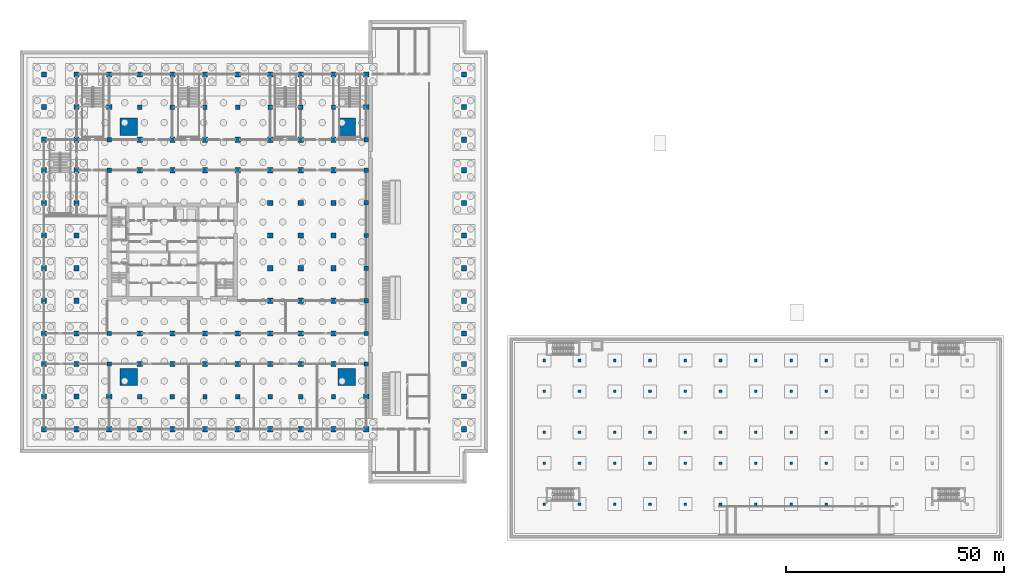
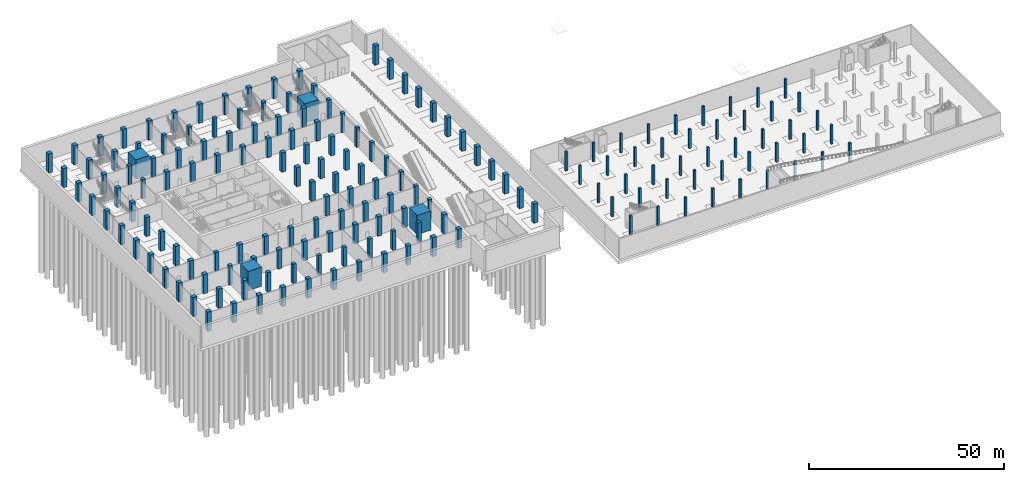
# One storey, part 3 of 39: 173 columns.
"""IFC4 building model written with IfcOpenShell, lengths in metres."""

from ifc_helpers import new_model, si_unit, direction, frame, origin, origin_2d, place, context, subcontext, project, spatial, rectangle, extrude, material, material_profile, profile_set, type_object, element, save


model = new_model("IFC4")

# Units and contexts
model_context = context("Model", 3, precision=1e-05, world=origin(), true_north=direction((0.0, 1.0)))
body_context = subcontext(model_context, "Body", "Model", "MODEL_VIEW")
ifc_project = project(units=[si_unit("LENGTHUNIT", "METRE"), si_unit("AREAUNIT", "SQUARE_METRE"), si_unit("VOLUMEUNIT", "CUBIC_METRE"), si_unit("PLANEANGLEUNIT", "RADIAN"), si_unit("MASSUNIT", "GRAM", prefix="KILO")], contexts=[model_context])

# Site, building, storey
site_placement = place(None, origin())
site = spatial("IfcSite", under=ifc_project, at=site_placement, CompositionType="ELEMENT")
building_placement = place(site_placement, origin())
building = spatial("IfcBuilding", under=site, at=building_placement, Name="Tamorin Gate", CompositionType="ELEMENT")
storey_placement = place(building_placement, frame((0.0, 0.0, -12.0)))
storey = spatial("IfcBuildingStorey", under=building, at=storey_placement, Name="B2", CompositionType="ELEMENT", Elevation=-12.0)

# Columns
ifc_material_1 = material(Name="Concrete C80/95", Category="concrete")
ifc_material_profile_1 = material_profile(ifc_material_1, rectangle(XDim=1.0, YDim=1.0, at=origin_2d()), Name="RC 1000x1000")
ifc_profile_set_1 = profile_set([ifc_material_profile_1], Name="Concrete C80/95")
column_type_1 = type_object("IfcColumnType", Name="RC column 1000x1000 C80/95", PredefinedType="COLUMN", material=ifc_profile_set_1)
for number, where, z_axis, x_axis, name in (
    (1, (30.5, 45.5, 0.0), (0.0, 0.0, 1.0), (1.0, 0.0, 0.0), "Ring column B2"),
    (2, (30.5, 52.5, 0.0), (0.0, 0.0, 1.0), (1.0, 0.0, 0.0), "Ring column B2"),
    (3, (30.5, 90.0, 0.0), (0.0, 0.0, 1.0), (1.0, 0.0, 0.0), "Ring column B2"),
    (4, (30.5, 97.0, 0.0), (0.0, 0.0, 1.0), (1.0, 0.0, 0.0), "Ring column B2"),
    (5, (37.5, 38.0, 0.0), (0.0, 0.0, 1.0), (1.0, 0.0, 0.0), "Ring column B2"),
    (6, (37.5, 104.5, 0.0), (0.0, 0.0, 1.0), (1.0, 0.0, 0.0), "Ring column B2"),
    (7, (45.0, 38.0, 0.0), (0.0, 0.0, 1.0), (1.0, 0.0, 0.0), "Ring column B2"),
    (8, (45.0, 104.5, 0.0), (0.0, 0.0, 1.0), (1.0, 0.0, 0.0), "Ring column B2"),
    (9, (52.5, 38.0, 0.0), (0.0, 0.0, 1.0), (1.0, 0.0, 0.0), "Ring column B2"),
    (10, (52.5, 104.5, 0.0), (0.0, 0.0, 1.0), (1.0, 0.0, 0.0), "Ring column B2"),
    (11, (60.0, 38.0, 0.0), (0.0, 0.0, 1.0), (1.0, 0.0, 0.0), "Ring column B2"),
    (12, (60.0, 104.5, 0.0), (0.0, 0.0, 1.0), (1.0, 0.0, 0.0), "Ring column B2"),
    (13, (67.5, 38.0, 0.0), (0.0, 0.0, 1.0), (1.0, 0.0, 0.0), "Ring column B2"),
    (14, (67.5, 104.5, 0.0), (0.0, 0.0, 1.0), (1.0, 0.0, 0.0), "Ring column B2"),
    (15, (74.5, 38.0, 0.0), (0.0, 0.0, 1.0), (1.0, 0.0, 0.0), "Ring column B2"),
    (16, (74.5, 104.5, 0.0), (0.0, 0.0, 1.0), (1.0, 0.0, 0.0), "Ring column B2"),
    (17, (82.0, 38.0, 0.0), (0.0, 0.0, 1.0), (1.0, 0.0, 0.0), "Ring column B2"),
    (18, (82.0, 104.5, 0.0), (0.0, 0.0, 1.0), (1.0, 0.0, 0.0), "Ring column B2"),
    (19, (89.5, 45.5, 0.0), (0.0, 0.0, 1.0), (1.0, 0.0, 0.0), "Ring column B2"),
    (20, (89.5, 52.5, 0.0), (0.0, 0.0, 1.0), (1.0, 0.0, 0.0), "Ring column B2"),
    (21, (89.5, 60.0, 0.0), (0.0, 0.0, 1.0), (1.0, 0.0, 0.0), "Ring column B2"),
    (22, (89.5, 67.5, 0.0), (0.0, 0.0, 1.0), (1.0, 0.0, 0.0), "Ring column B2"),
    (23, (89.5, 75.0, 0.0), (0.0, 0.0, 1.0), (1.0, 0.0, 0.0), "Ring column B2"),
    (24, (89.5, 82.5, 0.0), (0.0, 0.0, 1.0), (1.0, 0.0, 0.0), "Ring column B2"),
    (25, (89.5, 90.0, 0.0), (0.0, 0.0, 1.0), (1.0, 0.0, 0.0), "Ring column B2"),
    (26, (89.5, 97.0, 0.0), (0.0, 0.0, 1.0), (1.0, 0.0, 0.0), "Ring column B2"),
):
    element("IfcColumn", number, at=place(storey_placement, frame(where, z_axis=z_axis, x_axis=x_axis)), inside=storey, type_object=column_type_1, Name=name, PredefinedType="COLUMN", context=body_context, shape_type="SweptSolid", body=[
        extrude(rectangle(XDim=1.0, YDim=1.0, at=origin_2d()), origin(), (0.0, 0.0, 1.0), 6.0),
    ])
ifc_material_profile_2 = material_profile(ifc_material_1, rectangle(XDim=1.199951171875, YDim=1.199951171875, at=origin_2d()), Name="RC 1200x1200")
ifc_profile_set_2 = profile_set([ifc_material_profile_2], Name="Concrete C80/95")
column_type_2 = type_object("IfcColumnType", Name="RC column 1200x1200 C80/95", PredefinedType="COLUMN", material=ifc_profile_set_2)
for number, where, z_axis, x_axis, name in (
    (27, (37.5, 45.5, 0.0), (0.0, 0.0, 1.0), (1.0, 0.0, 0.0), "Interior column B2"),
    (28, (37.5, 52.5, 0.0), (0.0, 0.0, 1.0), (1.0, 0.0, 0.0), "Interior column B2"),
    (29, (37.5, 90.0, 0.0), (0.0, 0.0, 1.0), (1.0, 0.0, 0.0), "Interior column B2"),
    (30, (37.5, 97.0, 0.0), (0.0, 0.0, 1.0), (1.0, 0.0, 0.0), "Interior column B2"),
    (31, (45.0, 45.5, 0.0), (0.0, 0.0, 1.0), (1.0, 0.0, 0.0), "Interior column B2"),
    (32, (45.0, 52.5, 0.0), (0.0, 0.0, 1.0), (1.0, 0.0, 0.0), "Interior column B2"),
    (33, (45.0, 90.0, 0.0), (0.0, 0.0, 1.0), (1.0, 0.0, 0.0), "Interior column B2"),
    (34, (45.0, 97.0, 0.0), (0.0, 0.0, 1.0), (1.0, 0.0, 0.0), "Interior column B2"),
    (35, (52.5, 45.5, 0.0), (0.0, 0.0, 1.0), (1.0, 0.0, 0.0), "Interior column B2"),
    (36, (52.5, 52.5, 0.0), (0.0, 0.0, 1.0), (1.0, 0.0, 0.0), "Interior column B2"),
    (37, (52.5, 90.0, 0.0), (0.0, 0.0, 1.0), (1.0, 0.0, 0.0), "Interior column B2"),
    (38, (52.5, 97.0, 0.0), (0.0, 0.0, 1.0), (1.0, 0.0, 0.0), "Interior column B2"),
    (39, (60.0, 45.5, 0.0), (0.0, 0.0, 1.0), (1.0, 0.0, 0.0), "Interior column B2"),
    (40, (60.0, 52.5, 0.0), (0.0, 0.0, 1.0), (1.0, 0.0, 0.0), "Interior column B2"),
    (41, (60.0, 90.0, 0.0), (0.0, 0.0, 1.0), (1.0, 0.0, 0.0), "Interior column B2"),
    (42, (60.0, 97.0, 0.0), (0.0, 0.0, 1.0), (1.0, 0.0, 0.0), "Interior column B2"),
    (43, (67.5, 45.5, 0.0), (0.0, 0.0, 1.0), (1.0, 0.0, 0.0), "Interior column B2"),
    (44, (67.5, 52.5, 0.0), (0.0, 0.0, 1.0), (1.0, 0.0, 0.0), "Interior column B2"),
    (45, (67.5, 60.0, 0.0), (0.0, 0.0, 1.0), (1.0, 0.0, 0.0), "Interior column B2"),
    (46, (67.5, 67.5, 0.0), (0.0, 0.0, 1.0), (1.0, 0.0, 0.0), "Interior column B2"),
    (47, (67.5, 75.0, 0.0), (0.0, 0.0, 1.0), (1.0, 0.0, 0.0), "Interior column B2"),
    (48, (67.5, 82.5, 0.0), (0.0, 0.0, 1.0), (1.0, 0.0, 0.0), "Interior column B2"),
    (49, (67.5, 90.0, 0.0), (0.0, 0.0, 1.0), (1.0, 0.0, 0.0), "Interior column B2"),
    (50, (67.5, 97.0, 0.0), (0.0, 0.0, 1.0), (1.0, 0.0, 0.0), "Interior column B2"),
    (51, (74.5, 45.5, 0.0), (0.0, 0.0, 1.0), (1.0, 0.0, 0.0), "Interior column B2"),
    (52, (74.5, 52.5, 0.0), (0.0, 0.0, 1.0), (1.0, 0.0, 0.0), "Interior column B2"),
    (53, (74.5, 60.0, 0.0), (0.0, 0.0, 1.0), (1.0, 0.0, 0.0), "Interior column B2"),
    (54, (74.5, 67.5, 0.0), (0.0, 0.0, 1.0), (1.0, 0.0, 0.0), "Interior column B2"),
    (55, (74.5, 75.0, 0.0), (0.0, 0.0, 1.0), (1.0, 0.0, 0.0), "Interior column B2"),
    (56, (74.5, 82.5, 0.0), (0.0, 0.0, 1.0), (1.0, 0.0, 0.0), "Interior column B2"),
    (57, (74.5, 90.0, 0.0), (0.0, 0.0, 1.0), (1.0, 0.0, 0.0), "Interior column B2"),
    (58, (74.5, 97.0, 0.0), (0.0, 0.0, 1.0), (1.0, 0.0, 0.0), "Interior column B2"),
    (59, (82.0, 45.5, 0.0), (0.0, 0.0, 1.0), (1.0, 0.0, 0.0), "Interior column B2"),
    (60, (82.0, 52.5, 0.0), (0.0, 0.0, 1.0), (1.0, 0.0, 0.0), "Interior column B2"),
    (61, (82.0, 60.0, 0.0), (0.0, 0.0, 1.0), (1.0, 0.0, 0.0), "Interior column B2"),
    (62, (82.0, 67.5, 0.0), (0.0, 0.0, 1.0), (1.0, 0.0, 0.0), "Interior column B2"),
    (63, (82.0, 75.0, 0.0), (0.0, 0.0, 1.0), (1.0, 0.0, 0.0), "Interior column B2"),
    (64, (82.0, 82.5, 0.0), (0.0, 0.0, 1.0), (1.0, 0.0, 0.0), "Interior column B2"),
    (65, (82.0, 90.0, 0.0), (0.0, 0.0, 1.0), (1.0, 0.0, 0.0), "Interior column B2"),
    (66, (82.0, 97.0, 0.0), (0.0, 0.0, 1.0), (1.0, 0.0, 0.0), "Interior column B2"),
    (67, (15.5, 30.5, 0.0), (0.0, 0.0, 1.0), (1.0, 0.0, 0.0), "Podium column B2"),
    (68, (15.5, 38.0, 0.0), (0.0, 0.0, 1.0), (1.0, 0.0, 0.0), "Podium column B2"),
    (69, (15.5, 45.5, 0.0), (0.0, 0.0, 1.0), (1.0, 0.0, 0.0), "Podium column B2"),
    (70, (15.5, 52.5, 0.0), (0.0, 0.0, 1.0), (1.0, 0.0, 0.0), "Podium column B2"),
    (71, (15.5, 60.0, 0.0), (0.0, 0.0, 1.0), (1.0, 0.0, 0.0), "Podium column B2"),
    (72, (15.5, 67.5, 0.0), (0.0, 0.0, 1.0), (1.0, 0.0, 0.0), "Podium column B2"),
    (73, (15.5, 75.0, 0.0), (0.0, 0.0, 1.0), (1.0, 0.0, 0.0), "Podium column B2"),
    (74, (15.5, 82.5, 0.0), (0.0, 0.0, 1.0), (1.0, 0.0, 0.0), "Podium column B2"),
    (75, (15.5, 90.0, 0.0), (0.0, 0.0, 1.0), (1.0, 0.0, 0.0), "Podium column B2"),
    (76, (15.5, 97.0, 0.0), (0.0, 0.0, 1.0), (1.0, 0.0, 0.0), "Podium column B2"),
    (77, (15.5, 104.5, 0.0), (0.0, 0.0, 1.0), (1.0, 0.0, 0.0), "Podium column B2"),
    (78, (15.5, 112.0, 0.0), (0.0, 0.0, 1.0), (1.0, 0.0, 0.0), "Podium column B2"),
    (79, (23.0, 30.5, 0.0), (0.0, 0.0, 1.0), (1.0, 0.0, 0.0), "Podium column B2"),
    (80, (23.0, 38.0, 0.0), (0.0, 0.0, 1.0), (1.0, 0.0, 0.0), "Podium column B2"),
    (81, (23.0, 45.5, 0.0), (0.0, 0.0, 1.0), (1.0, 0.0, 0.0), "Podium column B2"),
    (82, (23.0, 52.5, 0.0), (0.0, 0.0, 1.0), (1.0, 0.0, 0.0), "Podium column B2"),
    (83, (23.0, 60.0, 0.0), (0.0, 0.0, 1.0), (1.0, 0.0, 0.0), "Podium column B2"),
    (84, (23.0, 67.5, 0.0), (0.0, 0.0, 1.0), (1.0, 0.0, 0.0), "Podium column B2"),
    (85, (23.0, 75.0, 0.0), (0.0, 0.0, 1.0), (1.0, 0.0, 0.0), "Podium column B2"),
    (86, (23.0, 82.5, 0.0), (0.0, 0.0, 1.0), (1.0, 0.0, 0.0), "Podium column B2"),
    (87, (23.0, 90.0, 0.0), (0.0, 0.0, 1.0), (1.0, 0.0, 0.0), "Podium column B2"),
    (88, (23.0, 97.0, 0.0), (0.0, 0.0, 1.0), (1.0, 0.0, 0.0), "Podium column B2"),
    (89, (23.0, 104.5, 0.0), (0.0, 0.0, 1.0), (1.0, 0.0, 0.0), "Podium column B2"),
    (90, (23.0, 112.0, 0.0), (0.0, 0.0, 1.0), (1.0, 0.0, 0.0), "Podium column B2"),
    (91, (30.5, 30.5, 0.0), (0.0, 0.0, 1.0), (1.0, 0.0, 0.0), "Podium column B2"),
    (92, (30.5, 38.0, 0.0), (0.0, 0.0, 1.0), (1.0, 0.0, 0.0), "Podium column B2"),
    (93, (30.5, 104.5, 0.0), (0.0, 0.0, 1.0), (1.0, 0.0, 0.0), "Podium column B2"),
    (94, (30.5, 112.0, 0.0), (0.0, 0.0, 1.0), (1.0, 0.0, 0.0), "Podium column B2"),
    (95, (37.5, 30.5, 0.0), (0.0, 0.0, 1.0), (1.0, 0.0, 0.0), "Podium column B2"),
    (96, (37.5, 112.0, 0.0), (0.0, 0.0, 1.0), (1.0, 0.0, 0.0), "Podium column B2"),
    (97, (45.0, 30.5, 0.0), (0.0, 0.0, 1.0), (1.0, 0.0, 0.0), "Podium column B2"),
    (98, (45.0, 112.0, 0.0), (0.0, 0.0, 1.0), (1.0, 0.0, 0.0), "Podium column B2"),
    (99, (52.5, 30.5, 0.0), (0.0, 0.0, 1.0), (1.0, 0.0, 0.0), "Podium column B2"),
    (100, (52.5, 112.0, 0.0), (0.0, 0.0, 1.0), (1.0, 0.0, 0.0), "Podium column B2"),
    (101, (60.0, 30.5, 0.0), (0.0, 0.0, 1.0), (1.0, 0.0, 0.0), "Podium column B2"),
    (102, (60.0, 112.0, 0.0), (0.0, 0.0, 1.0), (1.0, 0.0, 0.0), "Podium column B2"),
    (103, (67.5, 30.5, 0.0), (0.0, 0.0, 1.0), (1.0, 0.0, 0.0), "Podium column B2"),
    (104, (67.5, 112.0, 0.0), (0.0, 0.0, 1.0), (1.0, 0.0, 0.0), "Podium column B2"),
    (105, (74.5, 30.5, 0.0), (0.0, 0.0, 1.0), (1.0, 0.0, 0.0), "Podium column B2"),
    (106, (74.5, 112.0, 0.0), (0.0, 0.0, 1.0), (1.0, 0.0, 0.0), "Podium column B2"),
    (107, (82.0, 30.5, 0.0), (0.0, 0.0, 1.0), (1.0, 0.0, 0.0), "Podium column B2"),
    (108, (82.0, 112.0, 0.0), (0.0, 0.0, 1.0), (1.0, 0.0, 0.0), "Podium column B2"),
    (109, (89.5, 30.5, 0.0), (0.0, 0.0, 1.0), (1.0, 0.0, 0.0), "Podium column B2"),
    (110, (89.5, 38.0, 0.0), (0.0, 0.0, 1.0), (1.0, 0.0, 0.0), "Podium column B2"),
    (111, (89.5, 104.5, 0.0), (0.0, 0.0, 1.0), (1.0, 0.0, 0.0), "Podium column B2"),
    (112, (89.5, 112.0, 0.0), (0.0, 0.0, 1.0), (1.0, 0.0, 0.0), "Podium column B2"),
    (113, (112.0, 30.5, 0.0), (0.0, 0.0, 1.0), (1.0, 0.0, 0.0), "Podium column B2"),
    (114, (112.0, 38.0, 0.0), (0.0, 0.0, 1.0), (1.0, 0.0, 0.0), "Podium column B2"),
    (115, (112.0, 45.5, 0.0), (0.0, 0.0, 1.0), (1.0, 0.0, 0.0), "Podium column B2"),
    (116, (112.0, 52.5, 0.0), (0.0, 0.0, 1.0), (1.0, 0.0, 0.0), "Podium column B2"),
    (117, (112.0, 60.0, 0.0), (0.0, 0.0, 1.0), (1.0, 0.0, 0.0), "Podium column B2"),
    (118, (112.0, 67.5, 0.0), (0.0, 0.0, 1.0), (1.0, 0.0, 0.0), "Podium column B2"),
    (119, (112.0, 75.0, 0.0), (0.0, 0.0, 1.0), (1.0, 0.0, 0.0), "Podium column B2"),
    (120, (112.0, 82.5, 0.0), (0.0, 0.0, 1.0), (1.0, 0.0, 0.0), "Podium column B2"),
    (121, (112.0, 90.0, 0.0), (0.0, 0.0, 1.0), (1.0, 0.0, 0.0), "Podium column B2"),
    (122, (112.0, 97.0, 0.0), (0.0, 0.0, 1.0), (1.0, 0.0, 0.0), "Podium column B2"),
    (123, (112.0, 104.5, 0.0), (0.0, 0.0, 1.0), (1.0, 0.0, 0.0), "Podium column B2"),
    (124, (112.0, 112.0, 0.0), (0.0, 0.0, 1.0), (1.0, 0.0, 0.0), "Podium column B2"),
):
    element("IfcColumn", number, at=place(storey_placement, frame(where, z_axis=z_axis, x_axis=x_axis)), inside=storey, type_object=column_type_2, Name=name, PredefinedType="COLUMN", context=body_context, shape_type="SweptSolid", body=[
        extrude(rectangle(XDim=1.199951171875, YDim=1.199951171875, at=origin_2d()), origin(), (0.0, 0.0, 1.0), 6.0),
    ])
ifc_material_profile_3 = material_profile(ifc_material_1, rectangle(XDim=4.0, YDim=4.0, at=origin_2d()), Name="RC 4000x4000")
ifc_profile_set_3 = profile_set([ifc_material_profile_3], Name="Concrete C80/95")
column_type_3 = type_object("IfcColumnType", Name="RC column 4000x4000 C80/95", PredefinedType="COLUMN", material=ifc_profile_set_3)
for number, where, z_axis, x_axis, name in (
    (125, (35.0, 42.5, 0.0), (0.0, 0.0, 1.0), (1.0, 0.0, 0.0), "Mega column SW B2"),
    (126, (85.0, 42.5, 0.0), (0.0, 0.0, 1.0), (1.0, 0.0, 0.0), "Mega column SE B2"),
    (127, (35.0, 100.0, 0.0), (0.0, 0.0, 1.0), (1.0, 0.0, 0.0), "Mega column NW B2"),
    (128, (85.0, 100.0, 0.0), (0.0, 0.0, 1.0), (1.0, 0.0, 0.0), "Mega column NE B2"),
):
    element("IfcColumn", number, at=place(storey_placement, frame(where, z_axis=z_axis, x_axis=x_axis)), inside=storey, type_object=column_type_3, Name=name, PredefinedType="COLUMN", context=body_context, shape_type="SweptSolid", body=[
        extrude(rectangle(XDim=4.0, YDim=4.0, at=origin_2d()), origin(), (0.0, 0.0, 1.0), 6.0),
    ])
ifc_material_2 = material(Name="Concrete C50/60", Category="concrete")
ifc_material_profile_4 = material_profile(ifc_material_2, rectangle(XDim=0.60009765625, YDim=0.60009765625, at=origin_2d()))
ifc_profile_set_4 = profile_set([ifc_material_profile_4], Name="Concrete C50/60")
column_type_4 = type_object("IfcColumnType", Name="RC column 600x600 C50/60", PredefinedType="COLUMN", material=ifc_profile_set_4)
for number, where, z_axis, x_axis, name in (
    (129, (130.39990234375, 13.300048828125, 0.0), (0.0, 0.0, 1.0), (1.0, 0.0, 0.0), "Car park column B2"),
    (130, (130.39990234375, 22.699951171875, 0.0), (0.0, 0.0, 1.0), (1.0, 0.0, 0.0), "Car park column B2"),
    (131, (130.39990234375, 29.800048828125, 0.0), (0.0, 0.0, 1.0), (1.0, 0.0, 0.0), "Car park column B2"),
    (132, (130.39990234375, 39.199951171875, 0.0), (0.0, 0.0, 1.0), (1.0, 0.0, 0.0), "Car park column B2"),
    (133, (130.39990234375, 46.300048828125, 0.0), (0.0, 0.0, 1.0), (1.0, 0.0, 0.0), "Car park column B2"),
    (134, (138.5, 13.300048828125, 0.0), (0.0, 0.0, 1.0), (1.0, 0.0, 0.0), "Car park column B2"),
    (135, (138.5, 22.699951171875, 0.0), (0.0, 0.0, 1.0), (1.0, 0.0, 0.0), "Car park column B2"),
    (136, (138.5, 29.800048828125, 0.0), (0.0, 0.0, 1.0), (1.0, 0.0, 0.0), "Car park column B2"),
    (137, (138.5, 39.199951171875, 0.0), (0.0, 0.0, 1.0), (1.0, 0.0, 0.0), "Car park column B2"),
    (138, (138.5, 46.300048828125, 0.0), (0.0, 0.0, 1.0), (1.0, 0.0, 0.0), "Car park column B2"),
    (139, (146.60009765625, 13.300048828125, 0.0), (0.0, 0.0, 1.0), (1.0, 0.0, 0.0), "Car park column B2"),
    (140, (146.60009765625, 22.699951171875, 0.0), (0.0, 0.0, 1.0), (1.0, 0.0, 0.0), "Car park column B2"),
    (141, (146.60009765625, 29.800048828125, 0.0), (0.0, 0.0, 1.0), (1.0, 0.0, 0.0), "Car park column B2"),
    (142, (146.60009765625, 39.199951171875, 0.0), (0.0, 0.0, 1.0), (1.0, 0.0, 0.0), "Car park column B2"),
    (143, (146.60009765625, 46.300048828125, 0.0), (0.0, 0.0, 1.0), (1.0, 0.0, 0.0), "Car park column B2"),
    (144, (154.699951171875, 13.300048828125, 0.0), (0.0, 0.0, 1.0), (1.0, 0.0, 0.0), "Car park column B2"),
    (145, (154.699951171875, 22.699951171875, 0.0), (0.0, 0.0, 1.0), (1.0, 0.0, 0.0), "Car park column B2"),
    (146, (154.699951171875, 29.800048828125, 0.0), (0.0, 0.0, 1.0), (1.0, 0.0, 0.0), "Car park column B2"),
    (147, (154.699951171875, 39.199951171875, 0.0), (0.0, 0.0, 1.0), (1.0, 0.0, 0.0), "Car park column B2"),
    (148, (154.699951171875, 46.300048828125, 0.0), (0.0, 0.0, 1.0), (1.0, 0.0, 0.0), "Car park column B2"),
    (149, (162.800048828125, 13.300048828125, 0.0), (0.0, 0.0, 1.0), (1.0, 0.0, 0.0), "Car park column B2"),
    (150, (162.800048828125, 22.699951171875, 0.0), (0.0, 0.0, 1.0), (1.0, 0.0, 0.0), "Car park column B2"),
    (151, (162.800048828125, 29.800048828125, 0.0), (0.0, 0.0, 1.0), (1.0, 0.0, 0.0), "Car park column B2"),
    (152, (162.800048828125, 39.199951171875, 0.0), (0.0, 0.0, 1.0), (1.0, 0.0, 0.0), "Car park column B2"),
    (153, (162.800048828125, 46.300048828125, 0.0), (0.0, 0.0, 1.0), (1.0, 0.0, 0.0), "Car park column B2"),
    (154, (170.89990234375, 13.300048828125, 0.0), (0.0, 0.0, 1.0), (1.0, 0.0, 0.0), "Car park column B2"),
    (155, (170.89990234375, 22.699951171875, 0.0), (0.0, 0.0, 1.0), (1.0, 0.0, 0.0), "Car park column B2"),
    (156, (170.89990234375, 29.800048828125, 0.0), (0.0, 0.0, 1.0), (1.0, 0.0, 0.0), "Car park column B2"),
    (157, (170.89990234375, 39.199951171875, 0.0), (0.0, 0.0, 1.0), (1.0, 0.0, 0.0), "Car park column B2"),
    (158, (170.89990234375, 46.300048828125, 0.0), (0.0, 0.0, 1.0), (1.0, 0.0, 0.0), "Car park column B2"),
    (159, (179.0, 13.300048828125, 0.0), (0.0, 0.0, 1.0), (1.0, 0.0, 0.0), "Car park column B2"),
    (160, (179.0, 22.699951171875, 0.0), (0.0, 0.0, 1.0), (1.0, 0.0, 0.0), "Car park column B2"),
    (161, (179.0, 29.800048828125, 0.0), (0.0, 0.0, 1.0), (1.0, 0.0, 0.0), "Car park column B2"),
    (162, (179.0, 39.199951171875, 0.0), (0.0, 0.0, 1.0), (1.0, 0.0, 0.0), "Car park column B2"),
    (163, (179.0, 46.300048828125, 0.0), (0.0, 0.0, 1.0), (1.0, 0.0, 0.0), "Car park column B2"),
    (164, (187.10009765625, 13.300048828125, 0.0), (0.0, 0.0, 1.0), (1.0, 0.0, 0.0), "Car park column B2"),
    (165, (187.10009765625, 22.699951171875, 0.0), (0.0, 0.0, 1.0), (1.0, 0.0, 0.0), "Car park column B2"),
    (166, (187.10009765625, 29.800048828125, 0.0), (0.0, 0.0, 1.0), (1.0, 0.0, 0.0), "Car park column B2"),
    (167, (187.10009765625, 39.199951171875, 0.0), (0.0, 0.0, 1.0), (1.0, 0.0, 0.0), "Car park column B2"),
    (168, (187.10009765625, 46.300048828125, 0.0), (0.0, 0.0, 1.0), (1.0, 0.0, 0.0), "Car park column B2"),
    (169, (195.199951171875, 13.300048828125, 0.0), (0.0, 0.0, 1.0), (1.0, 0.0, 0.0), "Car park column B2"),
    (170, (195.199951171875, 22.699951171875, 0.0), (0.0, 0.0, 1.0), (1.0, 0.0, 0.0), "Car park column B2"),
    (171, (195.199951171875, 29.800048828125, 0.0), (0.0, 0.0, 1.0), (1.0, 0.0, 0.0), "Car park column B2"),
    (172, (195.199951171875, 39.199951171875, 0.0), (0.0, 0.0, 1.0), (1.0, 0.0, 0.0), "Car park column B2"),
    (173, (195.199951171875, 46.300048828125, 0.0), (0.0, 0.0, 1.0), (1.0, 0.0, 0.0), "Car park column B2"),
):
    element("IfcColumn", number, at=place(storey_placement, frame(where, z_axis=z_axis, x_axis=x_axis)), inside=storey, type_object=column_type_4, Name=name, PredefinedType="COLUMN", context=body_context, shape_type="SweptSolid", body=[
        extrude(rectangle(XDim=0.60009765625, YDim=0.60009765625, at=origin_2d()), origin(), (0.0, 0.0, 1.0), 6.0),
    ])

save(model, "model.ifc")
